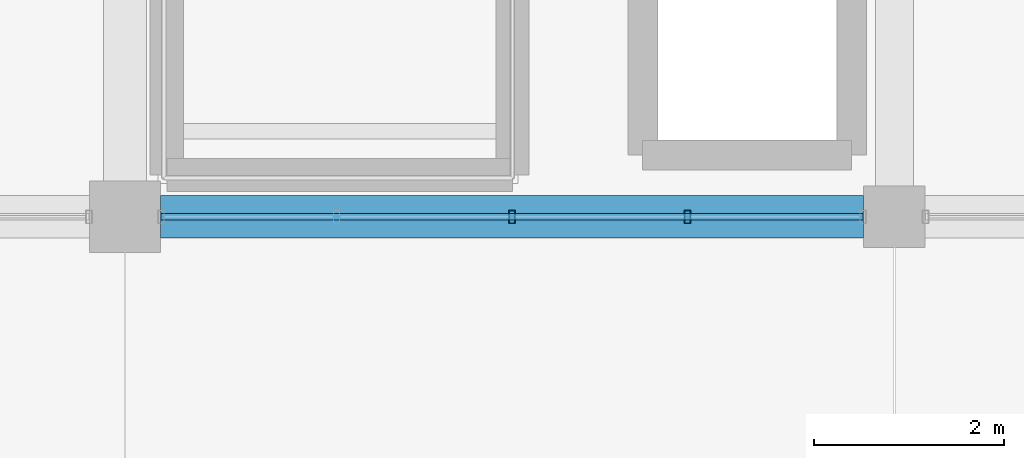
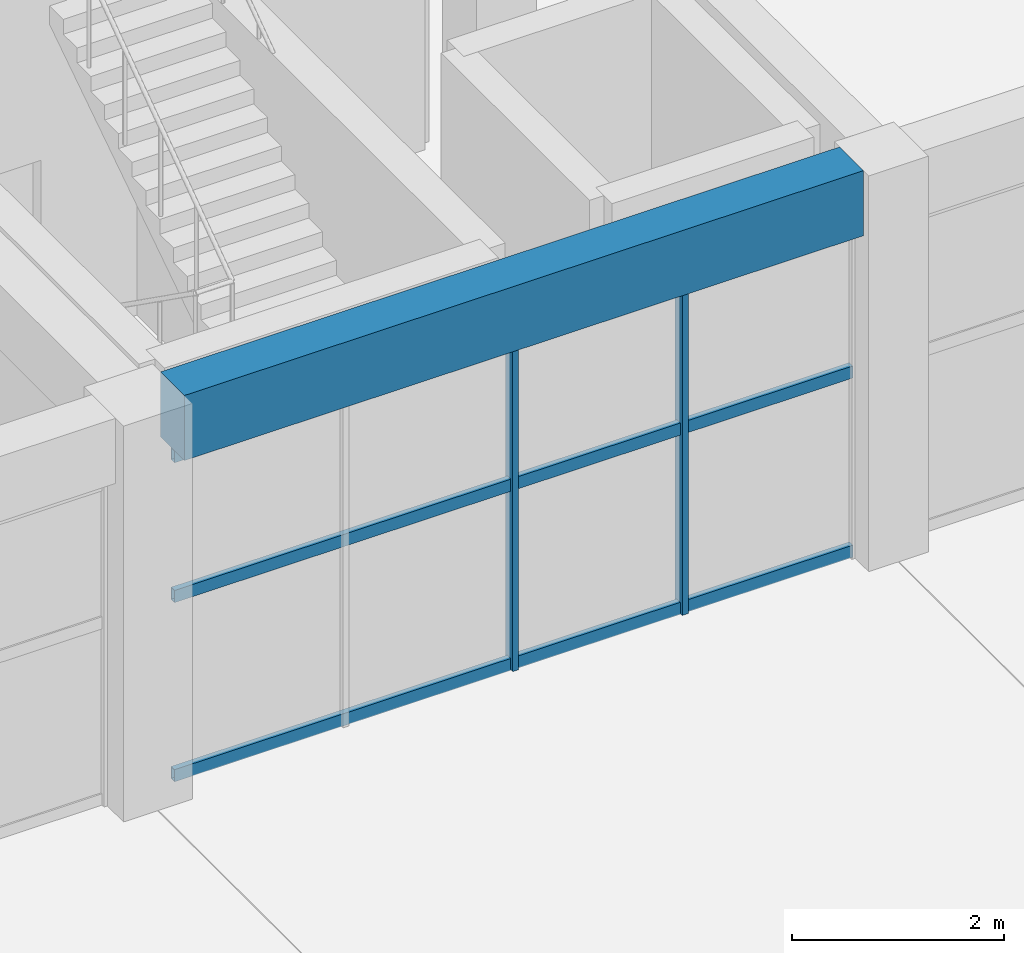
# One storey, part 35 of 161: 5 members, 1 beam, 1 element without a shape of its own.
"""IFC4 building model written with IfcOpenShell, lengths in metres."""

from ifc_helpers import new_model, si_unit, direction, frame, origin, origin_2d, place, context, subcontext, project, spatial, rectangle, hollow_rectangle, extrude, material, material_profile, profile_set, type_object, element, aggregate, save


model = new_model("IFC4")

# Units and contexts
model_context = context("Model", 3, precision=1e-05, world=origin(), true_north=direction((0.0, 1.0)))
body_context = subcontext(model_context, "Body", "Model", "MODEL_VIEW")
ifc_project = project(units=[si_unit("LENGTHUNIT", "METRE"), si_unit("AREAUNIT", "SQUARE_METRE"), si_unit("VOLUMEUNIT", "CUBIC_METRE"), si_unit("PLANEANGLEUNIT", "RADIAN"), si_unit("MASSUNIT", "GRAM", prefix="KILO")], contexts=[model_context])

# Site, building, storey
site_placement = place(None, origin())
site = spatial("IfcSite", under=ifc_project, at=site_placement, CompositionType="ELEMENT")
building_placement = place(site_placement, origin())
building = spatial("IfcBuilding", under=site, at=building_placement, Name="Cimatlan Art Gallery", CompositionType="ELEMENT")
storey_placement = place(building_placement, frame((0.0, 0.0, 5.39990234375)))
storey = spatial("IfcBuildingStorey", under=building, at=storey_placement, Name="L01", CompositionType="ELEMENT", Elevation=5.39990234375)

# Beam
ifc_material_1 = material(Name="Concrete C40/50", Category="concrete")
ifc_material_profile_1 = material_profile(ifc_material_1, rectangle(XDim=0.449951171875, YDim=0.75, at=origin_2d()), Name="RC450X750")
ifc_profile_set_1 = profile_set([ifc_material_profile_1], Name="Concrete C40/50")
beam_type = type_object("IfcBeamType", Name="BM-RC-450X750", PredefinedType="BEAM", material=ifc_profile_set_1)
beam_placement = place(storey_placement, frame((75.27490234375, 23.89990234375, 4.18505859375), z_axis=(1.0, 0.0, 0.0), x_axis=(0.0, 1.0, 0.0)))
element("IfcBeam", 1, at=beam_placement, inside=storey, type_object=beam_type, Name="BM-X-L01-09-03", PredefinedType="BEAM", context=body_context, shape_type="SweptSolid", body=[
    extrude(rectangle(XDim=0.449951171875, YDim=0.75, at=origin_2d()), origin(), (0.0, 0.0, 1.0), 7.400146484375),
])

# Curtain wall, members
ifc_material_2 = material(Name="Anodised bronze unitised curtain wall")
curtain_wall_type = type_object("IfcCurtainWallType", Name="CW-V-07392X03795-B4", PredefinedType="NOTDEFINED", material=ifc_material_2)
curtain_wall_placement = place(storey_placement, origin())
curtain_wall = element("IfcCurtainWall", 2, at=curtain_wall_placement, inside=storey, type_object=curtain_wall_type, Name="CW-L01-09-03-S", PredefinedType="NOTDEFINED")
ifc_material_3 = material(Name="Anodised bronze aluminium 6063-T6", Category="aluminium")
ifc_material_profile_2 = material_profile(ifc_material_3, hollow_rectangle(XDim=0.06494140625, YDim=0.139892578125, WallThickness=0.00390625, at=origin_2d()), Name="ALU65X140X4")
ifc_profile_set_2 = profile_set([ifc_material_profile_2], Name="Anodised bronze aluminium 6063-T6")
member_type_1 = type_object("IfcMemberType", Name="CW-MUL-140", PredefinedType="MULLION", material=ifc_profile_set_2)
member_1_placement = place(storey_placement, frame((80.822998046875, 23.89990234375, 0.0), z_axis=(0.0, 0.0, 1.0), x_axis=(1.0, 0.0, 0.0)))
member_1 = element("IfcMember", 3, at=member_1_placement, type_object=member_type_1, Name="CW-L01-09-03-S-M2", PredefinedType="MULLION", context=body_context, shape_type="SweptSolid", body=[
    extrude(hollow_rectangle(XDim=0.06494140625, YDim=0.139892578125, WallThickness=0.00390625, at=origin_2d()), origin(), (0.0, 0.0, 1.0), 3.795166015625),
])
member_2_placement = place(storey_placement, frame((78.97509765625, 23.89990234375, 0.0), z_axis=(0.0, 0.0, 1.0), x_axis=(1.0, 0.0, 0.0)))
member_2 = element("IfcMember", 4, at=member_2_placement, type_object=member_type_1, Name="CW-L01-09-03-S-M3", PredefinedType="MULLION", context=body_context, shape_type="SweptSolid", body=[
    extrude(hollow_rectangle(XDim=0.06494140625, YDim=0.139892578125, WallThickness=0.00390625, at=origin_2d()), origin(), (0.0, 0.0, 1.0), 3.795166015625),
])
ifc_material_profile_3 = material_profile(ifc_material_3, hollow_rectangle(XDim=0.06494140625, YDim=0.139892578125, WallThickness=0.00390625, at=origin_2d()), Name="ALU65X140X4")
ifc_profile_set_3 = profile_set([ifc_material_profile_3], Name="Anodised bronze aluminium 6063-T6")
member_type_2 = type_object("IfcMemberType", Name="CW-TRN-140", PredefinedType="USERDEFINED", material=ifc_profile_set_3)
member_3_placement = place(storey_placement, frame((82.6708984375, 23.89990234375, 0.06005859375), z_axis=(-1.0, 0.0, 0.0), x_axis=(0.0, -1.0, 0.0)))
member_3 = element("IfcMember", 5, at=member_3_placement, type_object=member_type_2, Name="CW-L01-09-03-S-T1", ObjectType="TRANSOM", PredefinedType="USERDEFINED", context=body_context, shape_type="SweptSolid", body=[
    extrude(hollow_rectangle(XDim=0.06494140625, YDim=0.139892578125, WallThickness=0.00390625, at=origin_2d()), origin(), (0.0, 0.0, 1.0), 7.391845703125),
])
member_4_placement = place(storey_placement, frame((82.6708984375, 23.89990234375, 2.125244140625), z_axis=(-1.0, 0.0, 0.0), x_axis=(0.0, -1.0, 0.0)))
member_4 = element("IfcMember", 6, at=member_4_placement, type_object=member_type_2, Name="CW-L01-09-03-S-T2", ObjectType="TRANSOM", PredefinedType="USERDEFINED", context=body_context, shape_type="SweptSolid", body=[
    extrude(hollow_rectangle(XDim=0.06494140625, YDim=0.139892578125, WallThickness=0.00390625, at=origin_2d()), origin(), (0.0, 0.0, 1.0), 7.391845703125),
])
member_5_placement = place(storey_placement, frame((82.6708984375, 23.89990234375, 3.735107421875), z_axis=(-1.0, 0.0, 0.0), x_axis=(0.0, -1.0, 0.0)))
member_5 = element("IfcMember", 7, at=member_5_placement, type_object=member_type_2, Name="CW-L01-09-03-S-T3", ObjectType="TRANSOM", PredefinedType="USERDEFINED", context=body_context, shape_type="SweptSolid", body=[
    extrude(hollow_rectangle(XDim=0.06494140625, YDim=0.139892578125, WallThickness=0.00390625, at=origin_2d()), origin(), (0.0, 0.0, 1.0), 7.391845703125),
])
aggregate(curtain_wall, [member_1, member_2, member_3, member_4, member_5])

save(model, "model.ifc")
